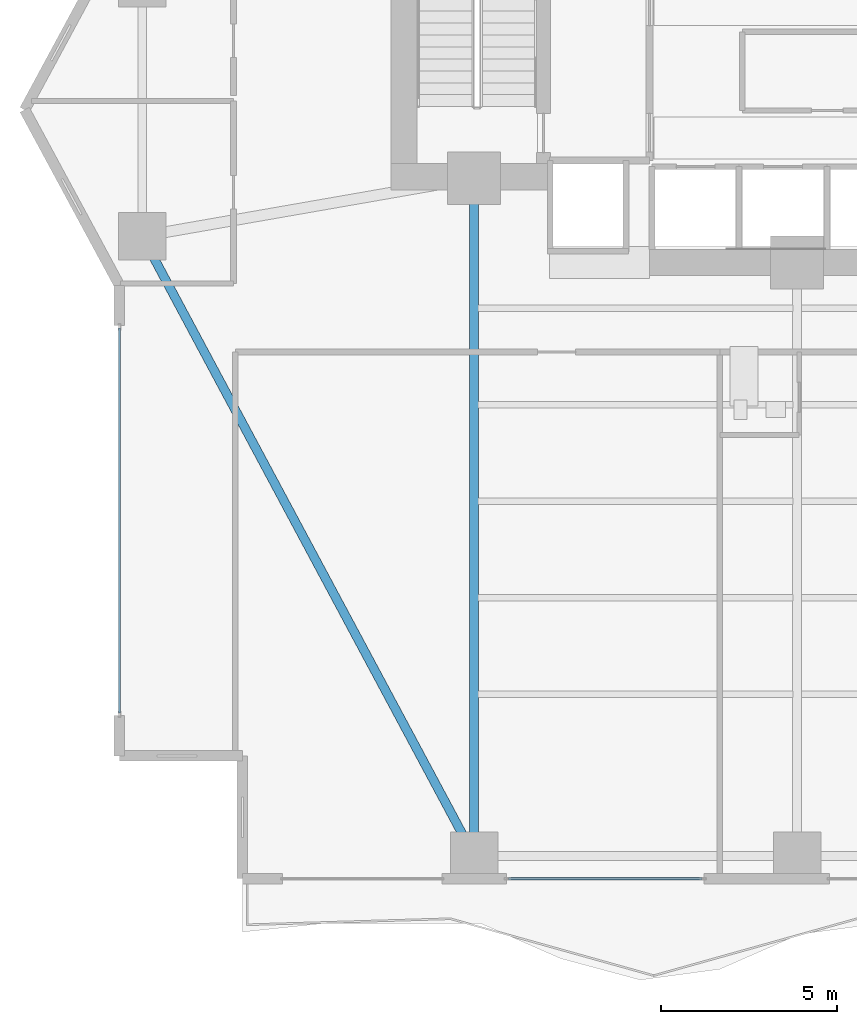
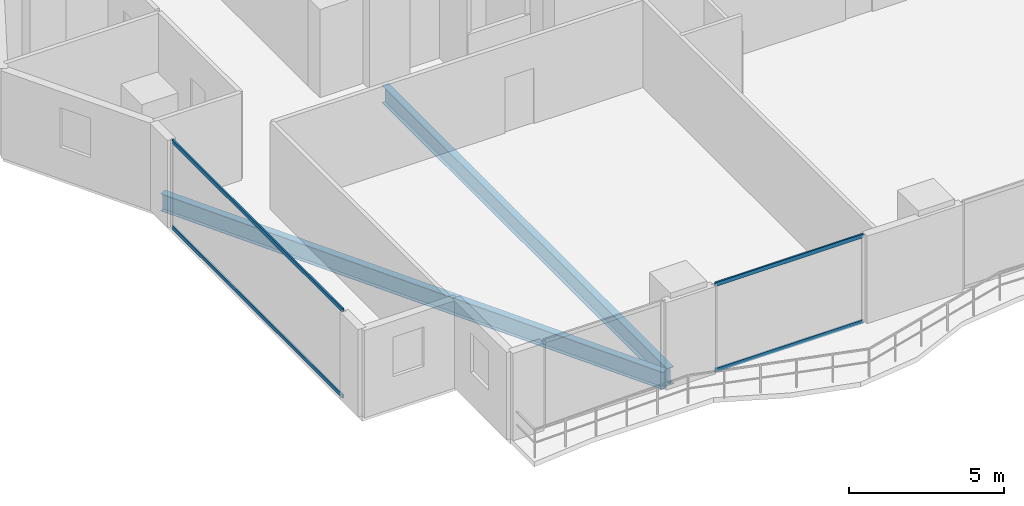
# One storey, part 3 of 29: 4 members, 2 beams, 2 elements without a shape of their own.
"""IFC4 building model written with IfcOpenShell, lengths in metres."""

from ifc_helpers import new_model, si_unit, direction, frame, origin, origin_2d, place, context, subcontext, project, spatial, hollow_rectangle, i_section, extrude, material, layer, layer_set, material_profile, profile_set, type_object, element, aggregate, save


model = new_model("IFC4")

# Units and contexts
model_context = context("Model", 3, precision=1e-05, world=origin(), true_north=direction((0.0, 1.0)))
body_context = subcontext(model_context, "Body", "Model", "MODEL_VIEW")
ifc_project = project(units=[si_unit("LENGTHUNIT", "METRE"), si_unit("AREAUNIT", "SQUARE_METRE"), si_unit("VOLUMEUNIT", "CUBIC_METRE"), si_unit("PLANEANGLEUNIT", "RADIAN"), si_unit("MASSUNIT", "GRAM", prefix="KILO")], contexts=[model_context])

# Site, building, storey
site_placement = place(None, origin())
site = spatial("IfcSite", under=ifc_project, at=site_placement, CompositionType="ELEMENT")
building_placement = place(site_placement, origin())
building = spatial("IfcBuilding", under=site, at=building_placement, Name="Zuhayl Quay Hotel", CompositionType="ELEMENT")
storey_placement = place(building_placement, frame((0.0, 0.0, 113.89990234375)))
storey = spatial("IfcBuildingStorey", under=building, at=storey_placement, Name="L28", CompositionType="ELEMENT", Elevation=113.89990234375)

# Beams
ifc_material_1 = material(Name="Steel ASTM A992 Grade 50", Category="steel")
ifc_material_profile_1 = material_profile(ifc_material_1, i_section(OverallWidth=0.25390625, OverallDepth=0.68310546875, WebThickness=0.012451171875, FlangeThickness=0.018798828125, at=origin_2d()), Name="W27X94")
ifc_profile_set_1 = profile_set([ifc_material_profile_1], Name="Steel ASTM A992 Grade 50")
beam_type = type_object("IfcBeamType", Name="BM_B2_W27X94", PredefinedType="BEAM", material=ifc_profile_set_1)
beam_1_placement = place(storey_placement, frame((-23.013916015625, 2.459228515625, -0.5615234375), z_axis=(0.472017301959, -0.88158928456, 0.0), x_axis=(0.88158928456, 0.472017301959, 0.0)))
element("IfcBeam", 1, at=beam_1_placement, inside=storey, type_object=beam_type, Name="L28 Floor Beam RG_L28_12", PredefinedType="BEAM", context=body_context, shape_type="SweptSolid", body=[
    extrude(i_section(OverallWidth=0.25390625, OverallDepth=0.68310546875, WebThickness=0.012451171875, FlangeThickness=0.018798828125, at=origin_2d()), origin(), (0.0, 0.0, 1.0), 19.0205078125),
])
beam_2_placement = place(storey_placement, frame((-13.800048828125, -14.25, -0.5615234375), z_axis=(0.0, 1.0, 0.0), x_axis=(-1.0, 0.0, 0.0)))
element("IfcBeam", 2, at=beam_2_placement, inside=storey, type_object=beam_type, Name="L28 Floor Beam FG_S_L28_1", PredefinedType="BEAM", context=body_context, shape_type="SweptSolid", body=[
    extrude(i_section(OverallWidth=0.25390625, OverallDepth=0.68310546875, WebThickness=0.012451171875, FlangeThickness=0.018798828125, at=origin_2d()), origin(), (0.0, 0.0, 1.0), 18.35009765625),
])

# Curtain wall, members
ifc_material_2 = material(Name="Anodised Aluminium 6063-T6", Category="aluminium")
ifc_layer = layer(ifc_material_2, 0.179931640625, Name="Anodised Aluminium 6063-T6", Category="aluminium")
ifc_layer_set = layer_set([ifc_layer], Name="Anodised Aluminium 6063-T6")
curtain_wall_type = type_object("IfcCurtainWallType", Name="CW_SYS_Z2", PredefinedType="USERDEFINED", material=ifc_layer_set)
curtain_wall_1_placement = place(storey_placement, origin())
curtain_wall_1 = element("IfcCurtainWall", 3, at=curtain_wall_1_placement, inside=storey, type_object=curtain_wall_type, Name="L28 Curtain Wall ENV_L28_E02_CW1", ObjectType="UNITISED CURTAIN WALL", PredefinedType="USERDEFINED")
ifc_material_3 = material(Name="Black-anodised aluminium 6063-T6", Category="aluminium")
ifc_material_profile_2 = material_profile(ifc_material_3, hollow_rectangle(XDim=0.06005859375, YDim=0.14990234375, WallThickness=0.00341796875, at=origin_2d()), Name="ALU150X60")
ifc_profile_set_2 = profile_set([ifc_material_profile_2], Name="Black-anodised aluminium 6063-T6")
member_type = type_object("IfcMemberType", Name="MB_CW_TRN_150", PredefinedType="USERDEFINED", material=ifc_profile_set_2)
member_1_placement = place(storey_placement, frame((-23.89990234375, -10.68505859375, 0.030029296875), z_axis=(0.0, 1.0, 0.0), x_axis=(-1.0, 0.0, 0.0)))
member_1 = element("IfcMember", 4, at=member_1_placement, type_object=member_type, Name="CW-Z2 transom 1.1", ObjectType="TRANSOM", PredefinedType="USERDEFINED", context=body_context, shape_type="SweptSolid", body=[
    extrude(hollow_rectangle(XDim=0.06005859375, YDim=0.14990234375, WallThickness=0.00341796875, at=origin_2d()), origin(), (0.0, 0.0, 1.0), 10.969970703125),
])
member_2_placement = place(storey_placement, frame((-23.89990234375, -10.68505859375, 3.400146484375), z_axis=(0.0, 1.0, 0.0), x_axis=(-1.0, 0.0, 0.0)))
member_2 = element("IfcMember", 5, at=member_2_placement, type_object=member_type, Name="CW-Z2 transom 1.2", ObjectType="TRANSOM", PredefinedType="USERDEFINED", context=body_context, shape_type="SweptSolid", body=[
    extrude(hollow_rectangle(XDim=0.06005859375, YDim=0.14990234375, WallThickness=0.00341796875, at=origin_2d()), origin(), (0.0, 0.0, 1.0), 10.969970703125),
])
aggregate(curtain_wall_1, [member_1, member_2])

curtain_wall_2_placement = place(storey_placement, origin())
curtain_wall_2 = element("IfcCurtainWall", 6, at=curtain_wall_2_placement, inside=storey, type_object=curtain_wall_type, Name="L28 Curtain Wall ENV_L28_S_CW5", ObjectType="UNITISED CURTAIN WALL", PredefinedType="USERDEFINED")
member_3_placement = place(storey_placement, frame((-7.31494140625, -15.39990234375, 0.030029296875), z_axis=(-1.0, 0.0, 0.0), x_axis=(0.0, -1.0, 0.0)))
member_3 = element("IfcMember", 7, at=member_3_placement, type_object=member_type, Name="CW-Z2 transom 1.1", ObjectType="TRANSOM", PredefinedType="USERDEFINED", context=body_context, shape_type="SweptSolid", body=[
    extrude(hollow_rectangle(XDim=0.06005859375, YDim=0.14990234375, WallThickness=0.00341796875, at=origin_2d()), origin(), (0.0, 0.0, 1.0), 5.5),
])
member_4_placement = place(storey_placement, frame((-7.31494140625, -15.39990234375, 3.400146484375), z_axis=(-1.0, 0.0, 0.0), x_axis=(0.0, -1.0, 0.0)))
member_4 = element("IfcMember", 8, at=member_4_placement, type_object=member_type, Name="CW-Z2 transom 1.2", ObjectType="TRANSOM", PredefinedType="USERDEFINED", context=body_context, shape_type="SweptSolid", body=[
    extrude(hollow_rectangle(XDim=0.06005859375, YDim=0.14990234375, WallThickness=0.00341796875, at=origin_2d()), origin(), (0.0, 0.0, 1.0), 5.5),
])
aggregate(curtain_wall_2, [member_3, member_4])

save(model, "model.ifc")
